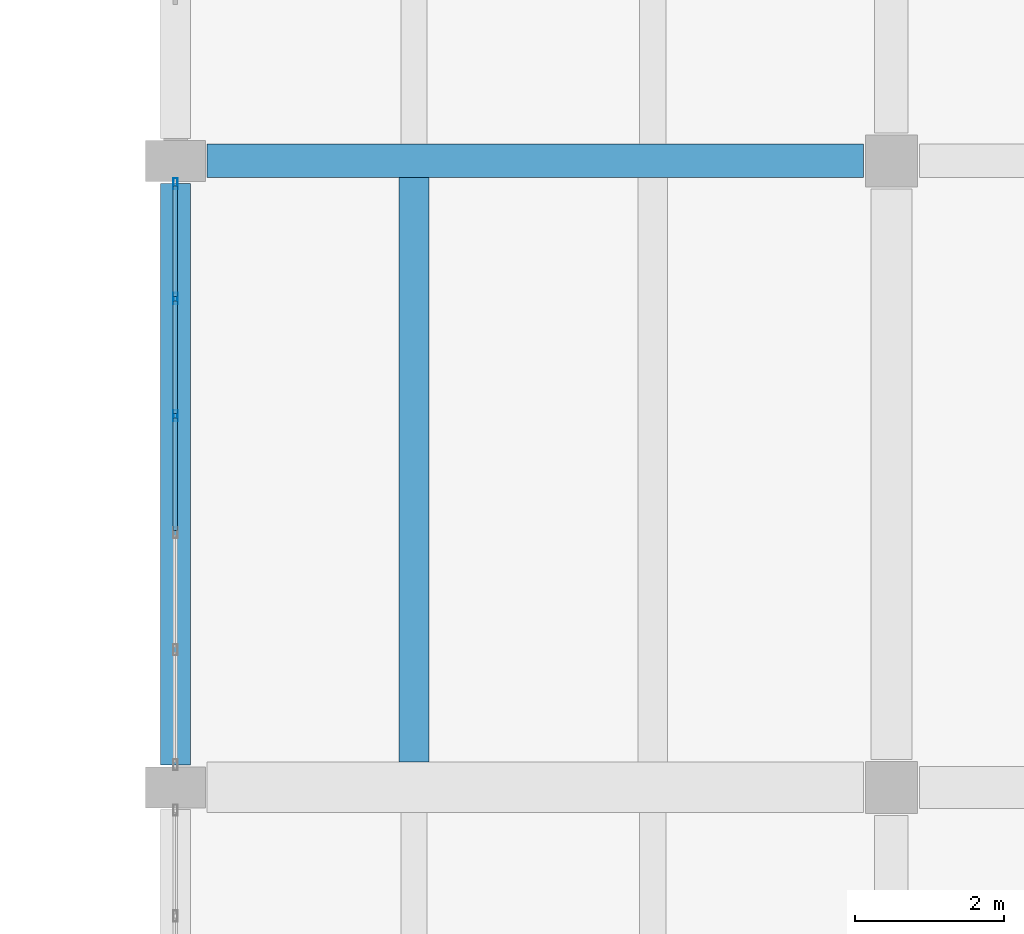
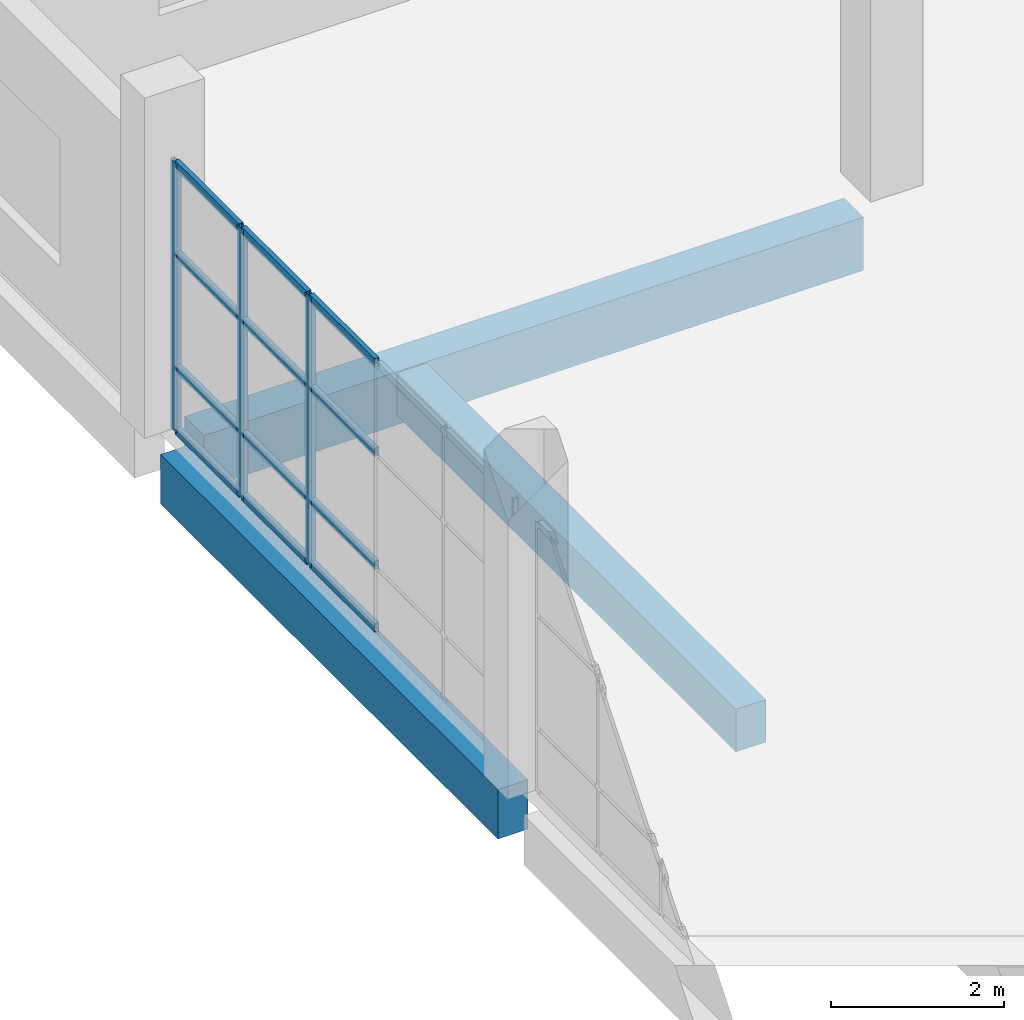
# One storey, part 59 of 91: 15 members, 3 beams, 1 element without a shape of its own.
"""IFC4 building model written with IfcOpenShell, lengths in metres."""

from ifc_helpers import new_model, si_unit, direction, frame, origin, origin_2d, place, context, subcontext, project, spatial, rectangle, hollow_rectangle, extrude, material, material_profile, profile_set, type_object, element, aggregate, save


model = new_model("IFC4")

# Units and contexts
model_context = context("Model", 3, precision=1e-05, world=origin(), true_north=direction((0.0, 1.0)))
body_context = subcontext(model_context, "Body", "Model", "MODEL_VIEW")
ifc_project = project(units=[si_unit("LENGTHUNIT", "METRE"), si_unit("AREAUNIT", "SQUARE_METRE"), si_unit("VOLUMEUNIT", "CUBIC_METRE"), si_unit("PLANEANGLEUNIT", "RADIAN"), si_unit("MASSUNIT", "GRAM", prefix="KILO")], contexts=[model_context])

# Site, building, storey
site_placement = place(None, origin())
site = spatial("IfcSite", under=ifc_project, at=site_placement, CompositionType="ELEMENT")
building_placement = place(site_placement, origin())
building = spatial("IfcBuilding", under=site, at=building_placement, Name="Pellamere Symphony Hall", CompositionType="ELEMENT")
storey_placement = place(building_placement, frame((0.0, 0.0, 5.39990234375)))
storey = spatial("IfcBuildingStorey", under=building, at=storey_placement, Name="L01", CompositionType="ELEMENT", Elevation=5.39990234375)

# Curtain wall, members
ifc_material_1 = material(Name="Thermally Broken Anodised Aluminium 6063-T6 Curtain Wall", Category="aluminium")
curtain_wall_type = type_object("IfcCurtainWallType", Name="Curtain Wall CW-05 (Artists Wing North Studio Ribbon Curtain Wall)", PredefinedType="NOTDEFINED", material=ifc_material_1)
curtain_wall_placement = place(storey_placement, origin())
curtain_wall = element("IfcCurtainWall", 1, at=curtain_wall_placement, inside=storey, type_object=curtain_wall_type, Name="Sculpture Court East Wing Curtain Wall (L01 Bay 4)", PredefinedType="NOTDEFINED")
ifc_material_2 = material(Name="Anodised Architectural Aluminium 6063-T6", Category="aluminium")
ifc_material_profile_1 = material_profile(ifc_material_2, hollow_rectangle(XDim=0.06005859375, YDim=0.14990234375, WallThickness=0.00390625, at=origin_2d()), Name="ALU-M60X150X4")
ifc_profile_set_1 = profile_set([ifc_material_profile_1], Name="Anodised Architectural Aluminium 6063-T6")
member_type_1 = type_object("IfcMemberType", Name="Curtain Wall Mullion ML-03 ALU-M60X150X4", PredefinedType="MULLION", material=ifc_profile_set_1)
member_1_placement = place(storey_placement, frame((138.0, 90.18505859375, 0.0), z_axis=(0.0, 0.0, 1.0), x_axis=(-1.0, 0.0, 0.0)))
member_1 = element("IfcMember", 2, at=member_1_placement, type_object=member_type_1, Name="CW5-135 crystal mullion 4", PredefinedType="MULLION", context=body_context, shape_type="SweptSolid", body=[
    extrude(hollow_rectangle(XDim=0.06005859375, YDim=0.14990234375, WallThickness=0.00390625, at=origin_2d()), origin(), (0.0, 0.0, 1.0), 3.800048828125),
])
member_2_placement = place(storey_placement, frame((138.0, 91.7548828125, 0.0), z_axis=(0.0, 0.0, 1.0), x_axis=(-1.0, 0.0, 0.0)))
member_2 = element("IfcMember", 3, at=member_2_placement, type_object=member_type_1, Name="CW5-135 crystal mullion 5", PredefinedType="MULLION", context=body_context, shape_type="SweptSolid", body=[
    extrude(hollow_rectangle(XDim=0.06005859375, YDim=0.14990234375, WallThickness=0.00390625, at=origin_2d()), origin(), (0.0, 0.0, 1.0), 3.800048828125),
])
member_3_placement = place(storey_placement, frame((138.0, 93.294921875, 0.0), z_axis=(0.0, 0.0, 1.0), x_axis=(-1.0, 0.0, 0.0)))
member_3 = element("IfcMember", 4, at=member_3_placement, type_object=member_type_1, Name="CW5-135 crystal mullion 6", PredefinedType="MULLION", context=body_context, shape_type="SweptSolid", body=[
    extrude(hollow_rectangle(XDim=0.06005859375, YDim=0.14990234375, WallThickness=0.00390625, at=origin_2d()), origin(), (0.0, 0.0, 1.0), 3.800048828125),
])
ifc_material_profile_2 = material_profile(ifc_material_2, hollow_rectangle(XDim=0.06005859375, YDim=0.1201171875, WallThickness=0.00390625, at=origin_2d()), Name="ALU-T60X120X4")
ifc_profile_set_2 = profile_set([ifc_material_profile_2], Name="Anodised Architectural Aluminium 6063-T6")
member_type_2 = type_object("IfcMemberType", Name="Curtain Wall Transom TR-03 ALU-T60X120X4", PredefinedType="USERDEFINED", material=ifc_profile_set_2)
member_4_placement = place(storey_placement, frame((138.0, 88.64501953125, 0.030029296875), z_axis=(0.0, 1.0, 0.0), x_axis=(-1.0, 0.0, 0.0)))
member_4 = element("IfcMember", 5, at=member_4_placement, type_object=member_type_2, Name="CW5-135 crystal transom 3.1", ObjectType="TRANSOM", PredefinedType="USERDEFINED", context=body_context, shape_type="SweptSolid", body=[
    extrude(hollow_rectangle(XDim=0.06005859375, YDim=0.1201171875, WallThickness=0.00390625, at=origin_2d()), origin(), (0.0, 0.0, 1.0), 1.510009765625),
])
member_5_placement = place(storey_placement, frame((138.0, 88.64501953125, 0.912109375), z_axis=(0.0, 1.0, 0.0), x_axis=(-1.0, 0.0, 0.0)))
member_5 = element("IfcMember", 6, at=member_5_placement, type_object=member_type_2, Name="CW5-135 crystal transom 3.2", ObjectType="TRANSOM", PredefinedType="USERDEFINED", context=body_context, shape_type="SweptSolid", body=[
    extrude(hollow_rectangle(XDim=0.06005859375, YDim=0.1201171875, WallThickness=0.00390625, at=origin_2d()), origin(), (0.0, 0.0, 1.0), 1.510009765625),
])
member_6_placement = place(storey_placement, frame((138.0, 88.64501953125, 2.508056640625), z_axis=(0.0, 1.0, 0.0), x_axis=(-1.0, 0.0, 0.0)))
member_6 = element("IfcMember", 7, at=member_6_placement, type_object=member_type_2, Name="CW5-135 crystal transom 3.3", ObjectType="TRANSOM", PredefinedType="USERDEFINED", context=body_context, shape_type="SweptSolid", body=[
    extrude(hollow_rectangle(XDim=0.06005859375, YDim=0.1201171875, WallThickness=0.00390625, at=origin_2d()), origin(), (0.0, 0.0, 1.0), 1.510009765625),
])
member_7_placement = place(storey_placement, frame((138.0, 88.64501953125, 3.77001953125), z_axis=(0.0, 1.0, 0.0), x_axis=(-1.0, 0.0, 0.0)))
member_7 = element("IfcMember", 8, at=member_7_placement, type_object=member_type_2, Name="CW5-135 crystal transom 3.4", ObjectType="TRANSOM", PredefinedType="USERDEFINED", context=body_context, shape_type="SweptSolid", body=[
    extrude(hollow_rectangle(XDim=0.06005859375, YDim=0.1201171875, WallThickness=0.00390625, at=origin_2d()), origin(), (0.0, 0.0, 1.0), 1.510009765625),
])
member_8_placement = place(storey_placement, frame((138.0, 90.215087890625, 0.030029296875), z_axis=(0.0, 1.0, 0.0), x_axis=(-1.0, 0.0, 0.0)))
member_8 = element("IfcMember", 9, at=member_8_placement, type_object=member_type_2, Name="CW5-135 crystal transom 4.1", ObjectType="TRANSOM", PredefinedType="USERDEFINED", context=body_context, shape_type="SweptSolid", body=[
    extrude(hollow_rectangle(XDim=0.06005859375, YDim=0.1201171875, WallThickness=0.00390625, at=origin_2d()), origin(), (0.0, 0.0, 1.0), 1.510009765625),
])
member_9_placement = place(storey_placement, frame((138.0, 90.215087890625, 0.912109375), z_axis=(0.0, 1.0, 0.0), x_axis=(-1.0, 0.0, 0.0)))
member_9 = element("IfcMember", 10, at=member_9_placement, type_object=member_type_2, Name="CW5-135 crystal transom 4.2", ObjectType="TRANSOM", PredefinedType="USERDEFINED", context=body_context, shape_type="SweptSolid", body=[
    extrude(hollow_rectangle(XDim=0.06005859375, YDim=0.1201171875, WallThickness=0.00390625, at=origin_2d()), origin(), (0.0, 0.0, 1.0), 1.510009765625),
])
member_10_placement = place(storey_placement, frame((138.0, 90.215087890625, 2.508056640625), z_axis=(0.0, 1.0, 0.0), x_axis=(-1.0, 0.0, 0.0)))
member_10 = element("IfcMember", 11, at=member_10_placement, type_object=member_type_2, Name="CW5-135 crystal transom 4.3", ObjectType="TRANSOM", PredefinedType="USERDEFINED", context=body_context, shape_type="SweptSolid", body=[
    extrude(hollow_rectangle(XDim=0.06005859375, YDim=0.1201171875, WallThickness=0.00390625, at=origin_2d()), origin(), (0.0, 0.0, 1.0), 1.510009765625),
])
member_11_placement = place(storey_placement, frame((138.0, 90.215087890625, 3.77001953125), z_axis=(0.0, 1.0, 0.0), x_axis=(-1.0, 0.0, 0.0)))
member_11 = element("IfcMember", 12, at=member_11_placement, type_object=member_type_2, Name="CW5-135 crystal transom 4.4", ObjectType="TRANSOM", PredefinedType="USERDEFINED", context=body_context, shape_type="SweptSolid", body=[
    extrude(hollow_rectangle(XDim=0.06005859375, YDim=0.1201171875, WallThickness=0.00390625, at=origin_2d()), origin(), (0.0, 0.0, 1.0), 1.510009765625),
])
member_12_placement = place(storey_placement, frame((138.0, 91.784912109375, 0.030029296875), z_axis=(0.0, 1.0, 0.0), x_axis=(-1.0, 0.0, 0.0)))
member_12 = element("IfcMember", 13, at=member_12_placement, type_object=member_type_2, Name="CW5-135 crystal transom 5.1", ObjectType="TRANSOM", PredefinedType="USERDEFINED", context=body_context, shape_type="SweptSolid", body=[
    extrude(hollow_rectangle(XDim=0.06005859375, YDim=0.1201171875, WallThickness=0.00390625, at=origin_2d()), origin(), (0.0, 0.0, 1.0), 1.47998046875),
])
member_13_placement = place(storey_placement, frame((138.0, 91.784912109375, 0.912109375), z_axis=(0.0, 1.0, 0.0), x_axis=(-1.0, 0.0, 0.0)))
member_13 = element("IfcMember", 14, at=member_13_placement, type_object=member_type_2, Name="CW5-135 crystal transom 5.2", ObjectType="TRANSOM", PredefinedType="USERDEFINED", context=body_context, shape_type="SweptSolid", body=[
    extrude(hollow_rectangle(XDim=0.06005859375, YDim=0.1201171875, WallThickness=0.00390625, at=origin_2d()), origin(), (0.0, 0.0, 1.0), 1.47998046875),
])
member_14_placement = place(storey_placement, frame((138.0, 91.784912109375, 2.508056640625), z_axis=(0.0, 1.0, 0.0), x_axis=(-1.0, 0.0, 0.0)))
member_14 = element("IfcMember", 15, at=member_14_placement, type_object=member_type_2, Name="CW5-135 crystal transom 5.3", ObjectType="TRANSOM", PredefinedType="USERDEFINED", context=body_context, shape_type="SweptSolid", body=[
    extrude(hollow_rectangle(XDim=0.06005859375, YDim=0.1201171875, WallThickness=0.00390625, at=origin_2d()), origin(), (0.0, 0.0, 1.0), 1.47998046875),
])
member_15_placement = place(storey_placement, frame((138.0, 91.784912109375, 3.77001953125), z_axis=(0.0, 1.0, 0.0), x_axis=(-1.0, 0.0, 0.0)))
member_15 = element("IfcMember", 16, at=member_15_placement, type_object=member_type_2, Name="CW5-135 crystal transom 5.4", ObjectType="TRANSOM", PredefinedType="USERDEFINED", context=body_context, shape_type="SweptSolid", body=[
    extrude(hollow_rectangle(XDim=0.06005859375, YDim=0.1201171875, WallThickness=0.00390625, at=origin_2d()), origin(), (0.0, 0.0, 1.0), 1.47998046875),
])
aggregate(curtain_wall, [member_1, member_2, member_3, member_4, member_5, member_6, member_7, member_8, member_9, member_10, member_11, member_12, member_13, member_14, member_15])

# Beams
ifc_material_3 = material(Name="Concrete 40 MPa", Category="concrete")
ifc_material_profile_3 = material_profile(ifc_material_3, rectangle(XDim=0.39990234375, YDim=0.60009765625, at=origin_2d()), Name="RC 400x600")
ifc_profile_set_3 = profile_set([ifc_material_profile_3], Name="Concrete 40 MPa")
beam_type_1 = type_object("IfcBeamType", Name="RC CB-09 400x600", PredefinedType="BEAM", material=ifc_profile_set_3)
beam_1_placement = place(storey_placement, frame((141.199951171875, 85.5400390625, -0.594970703125), z_axis=(0.0, 1.0, 0.0), x_axis=(-1.0, 0.0, 0.0)))
element("IfcBeam", 17, at=beam_1_placement, inside=storey, type_object=beam_type_1, Name="Secondary Floor Beam CB-09-A1711 (L01)", PredefinedType="BEAM", context=body_context, shape_type="SweptSolid", body=[
    extrude(rectangle(XDim=0.39990234375, YDim=0.60009765625, at=origin_2d()), origin(), (0.0, 0.0, 1.0), 7.8349609375),
])
ifc_material_profile_4 = material_profile(ifc_material_3, rectangle(XDim=0.449951171875, YDim=0.75, at=origin_2d()), Name="RC 450x750")
ifc_profile_set_4 = profile_set([ifc_material_profile_4], Name="Concrete 40 MPa")
beam_type_2 = type_object("IfcBeamType", Name="RC CB-12 450x750", PredefinedType="SPANDREL", material=ifc_profile_set_4)
beam_2_placement = place(storey_placement, frame((138.425048828125, 93.60009765625, -0.65478515625), z_axis=(1.0, 0.0, 0.0), x_axis=(0.0, 1.0, 0.0)))
element("IfcBeam", 18, at=beam_2_placement, inside=storey, type_object=beam_type_2, Name="Girder CB-12-X0692 (L01)", PredefinedType="SPANDREL", context=body_context, shape_type="SweptSolid", body=[
    extrude(rectangle(XDim=0.449951171875, YDim=0.75, at=origin_2d()), origin(), (0.0, 0.0, 1.0), 8.800048828125),
])
ifc_material_profile_5 = material_profile(ifc_material_3, rectangle(XDim=0.39990234375, YDim=0.699951171875, at=origin_2d()), Name="RC 400x700")
ifc_profile_set_5 = profile_set([ifc_material_profile_5], Name="Concrete 40 MPa")
beam_type_3 = type_object("IfcBeamType", Name="RC CB-13 400x700", PredefinedType="SPANDREL", material=ifc_profile_set_5)
beam_3_placement = place(storey_placement, frame((138.0, 85.5, -0.6298828125), z_axis=(0.0, 1.0, 0.0), x_axis=(-1.0, 0.0, 0.0)))
element("IfcBeam", 19, at=beam_3_placement, inside=storey, type_object=beam_type_3, Name="Girder CB-13-Y0849 (L01)", PredefinedType="SPANDREL", context=body_context, shape_type="SweptSolid", body=[
    extrude(rectangle(XDim=0.39990234375, YDim=0.699951171875, at=origin_2d()), origin(), (0.0, 0.0, 1.0), 7.800048828125),
])

save(model, "model.ifc")
